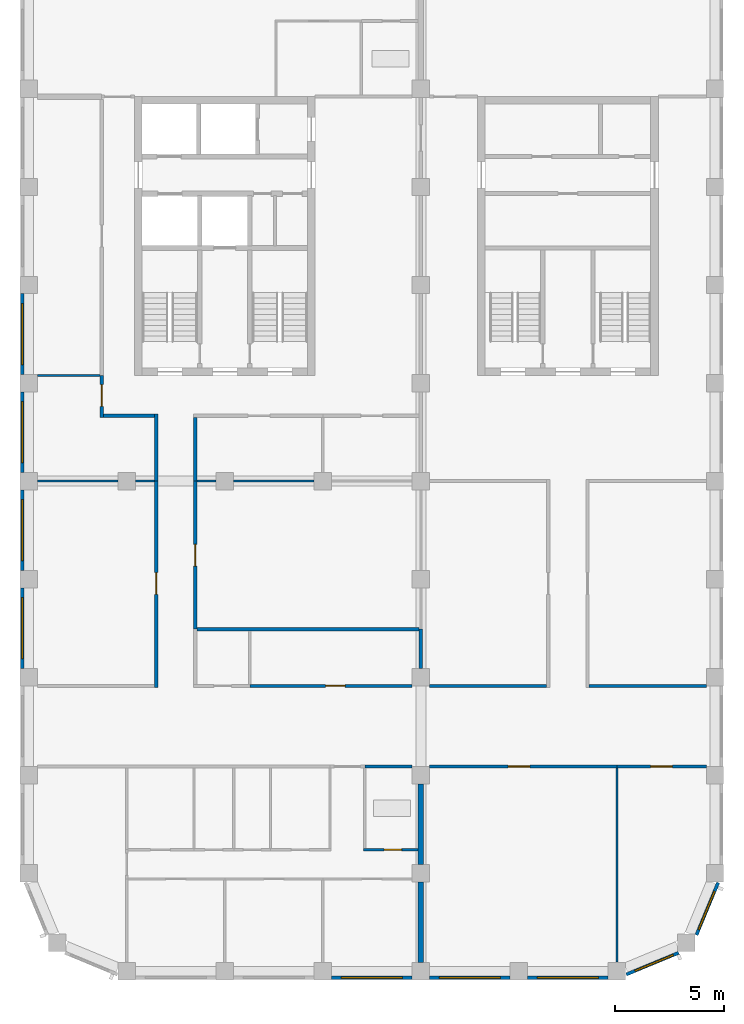
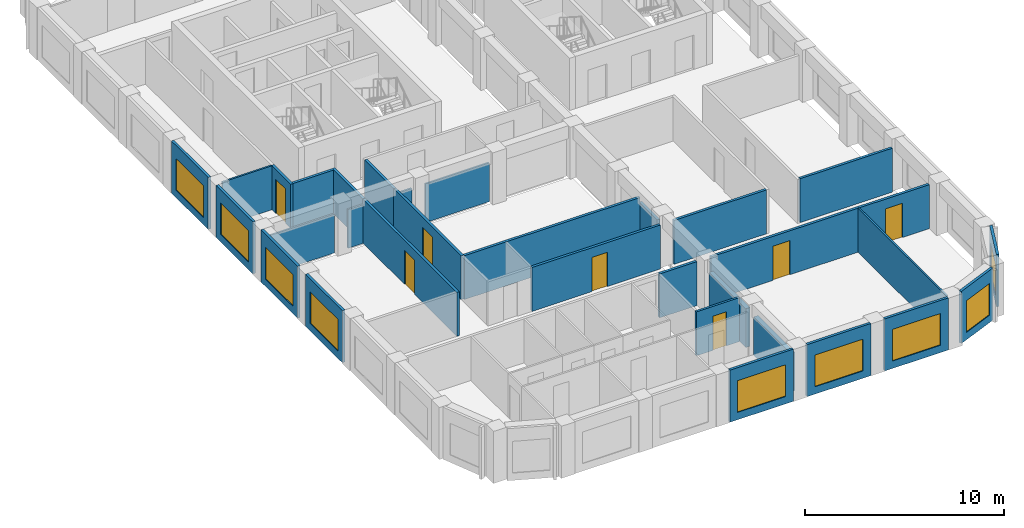
# One storey, part 3 of 9: 32 walls, 9 windows, 7 doors, 16 openings.
"""IFC4 building model written with IfcOpenShell, lengths in metres."""

from ifc_helpers import new_model, si_unit, direction, frame, frame_2d, origin, place, context, subcontext, project, spatial, rectangle, extrude, material, layer, layer_set, type_object, element, fill, save


model = new_model("IFC4")

# Units and contexts
model_context = context("Model", 3, precision=1e-05, world=origin(), true_north=direction((0.0, 1.0)))
body_context = subcontext(model_context, "Body", "Model", "MODEL_VIEW")
ifc_project = project(units=[si_unit("LENGTHUNIT", "METRE"), si_unit("AREAUNIT", "SQUARE_METRE"), si_unit("VOLUMEUNIT", "CUBIC_METRE"), si_unit("PLANEANGLEUNIT", "RADIAN"), si_unit("MASSUNIT", "GRAM", prefix="KILO")], contexts=[model_context])

# Site, building, storey
site_placement = place(None, origin())
site = spatial("IfcSite", under=ifc_project, at=site_placement, CompositionType="ELEMENT")
building_placement = place(site_placement, origin())
building = spatial("IfcBuilding", under=site, at=building_placement, Name="Girih Gate Residences", CompositionType="ELEMENT")
storey_placement = place(building_placement, frame((0.0, 0.0, 198.699951171875)))
storey = spatial("IfcBuildingStorey", under=building, at=storey_placement, Name="L55", CompositionType="ELEMENT", Elevation=198.699951171875)

# Walls
ifc_material_1 = material(Name="Gypsum board on steel studs", Category="steel")
ifc_layer_1 = layer(ifc_material_1, 0.25)
ifc_layer_set_1 = layer_set([ifc_layer_1], Name="Acoustic separating wall 250 mm")
wall_type_1 = type_object("IfcWallType", Name="Acoustic separating wall 250 mm", PredefinedType="PARTITIONING", material=ifc_layer_set_1)
for number, where, z_axis, x_axis, name in (
    (1, (18.0, 0.39990234375, 0.0), (0.0, 0.0, 1.0), (0.0, 1.0, 0.0), "L55 partition"),
    (2, (18.0, 4.89990234375, 0.0), (0.0, 0.0, 1.0), (0.0, 1.0, 0.0), "L55 partition"),
):
    element("IfcWall", number, at=place(storey_placement, frame(where, z_axis=z_axis, x_axis=x_axis)), inside=storey, type_object=wall_type_1, Name=name, PredefinedType="PARTITIONING", context=body_context, shape_type="SweptSolid", body=[
        extrude(rectangle(XDim=3.7001953125, YDim=0.25, at=frame_2d((1.85009765625, 0.0))), origin(), (0.0, 0.0, 1.0), 2.380126953125),
    ])
ifc_layer_2 = layer(ifc_material_1, 0.14990234375)
ifc_layer_set_2 = layer_set([ifc_layer_2], Name="Compartment wall 150 mm")
wall_type_2 = type_object("IfcWallType", Name="Compartment wall 150 mm", PredefinedType="PARTITIONING", material=ifc_layer_set_2)
wall_1_placement = place(storey_placement, frame((15.425048828125, 9.39990234375, 0.0), z_axis=(0.0, 0.0, 1.0), x_axis=(1.0, 0.0, 0.0)))
element("IfcWall", 3, at=wall_1_placement, inside=storey, type_object=wall_type_2, Name="L55 partition", PredefinedType="PARTITIONING", context=body_context, shape_type="SweptSolid", body=[
    extrude(rectangle(XDim=2.175048828125, YDim=0.14990234375, at=frame_2d((1.08740234375, 0.0))), origin(), (0.0, 0.0, 1.0), 2.699951171875),
])

# Wall, opening, door
wall_2_placement = place(storey_placement, frame((7.64990234375, 22.5, 0.0), z_axis=(0.0, 0.0, 1.0), x_axis=(0.0, -1.0, 0.0)))
wall_2 = element("IfcWall", 4, at=wall_2_placement, inside=storey, type_object=wall_type_2, Name="L55 partition", PredefinedType="PARTITIONING", context=body_context, shape_type="SweptSolid", body=[
    extrude(rectangle(XDim=6.800048828125, YDim=0.14990234375, at=frame_2d((3.39990234375, 0.0))), origin(), (0.0, 0.0, 1.0), 2.699951171875),
])
opening_1_placement = place(wall_2_placement, frame((2.89990234375, 0.0, 0.0)))
opening_1 = element("IfcOpeningElement", 5, at=opening_1_placement, cuts=wall_2, Name="Opening A55-017", PredefinedType="OPENING", context=body_context, shape_type="SweptSolid", body=[
    extrude(rectangle(XDim=1.0, YDim=2.10009765625, at=frame_2d((0.5, 1.050048828125))), frame((0.0, 0.0849609375, 0.0), z_axis=(0.0, -1.0, 0.0), x_axis=(1.0, 0.0, 0.0)), (0.0, 0.0, 1.0), 0.169921875),
])
ifc_material_2 = material(Name="Timber, fire-rated core", Category="wood")
door_type_1 = type_object("IfcDoorType", Name="Amenity room door 1000x2100 FD30S", OperationType="NOTDEFINED", PredefinedType="DOOR", material=ifc_material_2)
door_1_placement = place(opening_1_placement, origin())
door_1 = element("IfcDoor", 6, at=door_1_placement, inside=storey, type_object=door_type_1, Name="Door A55-017", OperationType="SINGLE_SWING_LEFT", OverallHeight=2.10009765625, OverallWidth=1.0, PredefinedType="DOOR", context=body_context, shape_type="SweptSolid", body=[
    extrude(rectangle(XDim=1.0, YDim=2.10009765625, at=frame_2d((0.5, 1.050048828125))), frame((0.0, 0.02490234375, 0.0), z_axis=(0.0, -1.0, 0.0), x_axis=(1.0, 0.0, 0.0)), (0.0, 0.0, 1.0), 0.050048828125),
])
fill(opening_1, door_1)

# Wall
wall_3_placement = place(storey_placement, frame((7.72509765625, 15.699951171875, 0.0), z_axis=(0.0, 0.0, 1.0), x_axis=(1.0, 0.0, 0.0)))
element("IfcWall", 7, at=wall_3_placement, inside=storey, type_object=wall_type_2, Name="L55 partition", PredefinedType="PARTITIONING", context=body_context, shape_type="SweptSolid", body=[
    extrude(rectangle(XDim=10.199951171875, YDim=0.14990234375, at=frame_2d((5.10009765625, 0.0))), origin(), (0.0, 0.0, 1.0), 2.699951171875),
])

# Wall, opening, door
wall_4_placement = place(storey_placement, frame((27.0, 9.39990234375, 0.0), z_axis=(0.0, 0.0, 1.0), x_axis=(-1.0, 0.0, 0.0)))
wall_4 = element("IfcWall", 8, at=wall_4_placement, inside=storey, type_object=wall_type_2, Name="L55 partition", PredefinedType="PARTITIONING", context=body_context, shape_type="SweptSolid", body=[
    extrude(rectangle(XDim=8.60009765625, YDim=0.14990234375, at=frame_2d((4.300048828125, 0.0))), origin(), (0.0, 0.0, 1.0), 2.699951171875),
])
opening_2_placement = place(wall_4_placement, frame((4.0, 0.0, 0.0)))
opening_2 = element("IfcOpeningElement", 9, at=opening_2_placement, cuts=wall_4, Name="Opening A55-020", PredefinedType="OPENING", context=body_context, shape_type="SweptSolid", body=[
    extrude(rectangle(XDim=1.0, YDim=2.10009765625, at=frame_2d((0.5, 1.050048828125))), frame((0.0, 0.0849609375, 0.0), z_axis=(0.0, -1.0, 0.0), x_axis=(1.0, 0.0, 0.0)), (0.0, 0.0, 1.0), 0.169921875),
])
door_2_placement = place(opening_2_placement, origin())
door_2 = element("IfcDoor", 10, at=door_2_placement, inside=storey, type_object=door_type_1, Name="Door A55-020", OperationType="SINGLE_SWING_RIGHT", OverallHeight=2.10009765625, OverallWidth=1.0, PredefinedType="DOOR", context=body_context, shape_type="SweptSolid", body=[
    extrude(rectangle(XDim=1.0, YDim=2.10009765625, at=frame_2d((0.5, 1.050048828125))), frame((0.0, 0.02490234375, 0.0), z_axis=(0.0, -1.0, 0.0), x_axis=(1.0, 0.0, 0.0)), (0.0, 0.0, 1.0), 0.050048828125),
])
fill(opening_2, door_2)

wall_5_placement = place(storey_placement, frame((31.10009765625, 9.39990234375, 0.0), z_axis=(0.0, 0.0, 1.0), x_axis=(-1.0, 0.0, 0.0)))
wall_5 = element("IfcWall", 11, at=wall_5_placement, inside=storey, type_object=wall_type_2, Name="L55 partition", PredefinedType="PARTITIONING", context=body_context, shape_type="SweptSolid", body=[
    extrude(rectangle(XDim=4.10009765625, YDim=0.14990234375, at=frame_2d((2.050048828125, 0.0))), origin(), (0.0, 0.0, 1.0), 2.699951171875),
])
opening_3_placement = place(wall_5_placement, frame((1.550048828125, 0.0, 0.0)))
opening_3 = element("IfcOpeningElement", 12, at=opening_3_placement, cuts=wall_5, Name="Opening A55-021", PredefinedType="OPENING", context=body_context, shape_type="SweptSolid", body=[
    extrude(rectangle(XDim=1.0, YDim=2.10009765625, at=frame_2d((0.5, 1.050048828125))), frame((0.0, 0.0849609375, 0.0), z_axis=(0.0, -1.0, 0.0), x_axis=(1.0, 0.0, 0.0)), (0.0, 0.0, 1.0), 0.169921875),
])
door_3_placement = place(opening_3_placement, origin())
door_3 = element("IfcDoor", 13, at=door_3_placement, inside=storey, type_object=door_type_1, Name="Door A55-021", OperationType="SINGLE_SWING_RIGHT", OverallHeight=2.10009765625, OverallWidth=1.0, PredefinedType="DOOR", context=body_context, shape_type="SweptSolid", body=[
    extrude(rectangle(XDim=1.0, YDim=2.10009765625, at=frame_2d((0.5, 1.050048828125))), frame((0.0, 0.02490234375, 0.0), z_axis=(0.0, -1.0, 0.0), x_axis=(1.0, 0.0, 0.0)), (0.0, 0.0, 1.0), 0.050048828125),
])
fill(opening_3, door_3)

# Walls
for number, where, z_axis, x_axis, name in (
    (14, (18.39990234375, 13.10009765625, 0.0), (0.0, 0.0, 1.0), (1.0, 0.0, 0.0), "L55 partition"),
    (15, (25.72509765625, 13.10009765625, 0.0), (0.0, 0.0, 1.0), (1.0, 0.0, 0.0), "L55 partition"),
):
    element("IfcWall", number, at=place(storey_placement, frame(where, z_axis=z_axis, x_axis=x_axis)), inside=storey, type_object=wall_type_2, Name=name, PredefinedType="PARTITIONING", context=body_context, shape_type="SweptSolid", body=[
        extrude(rectangle(XDim=5.375, YDim=0.14990234375, at=frame_2d((2.6875, 0.0))), origin(), (0.0, 0.0, 1.0), 2.699951171875),
    ])

# Wall, opening, door
wall_6_placement = place(storey_placement, frame((10.14990234375, 13.10009765625, 0.0), z_axis=(0.0, 0.0, 1.0), x_axis=(1.0, 0.0, 0.0)))
wall_6 = element("IfcWall", 16, at=wall_6_placement, inside=storey, type_object=wall_type_2, Name="L55 partition", PredefinedType="PARTITIONING", context=body_context, shape_type="SweptSolid", body=[
    extrude(rectangle(XDim=7.4501953125, YDim=0.14990234375, at=frame_2d((3.72509765625, 0.0))), origin(), (0.0, 0.0, 1.0), 2.699951171875),
])
opening_4_placement = place(wall_6_placement, frame((3.47509765625, 0.0, 0.0)))
opening_4 = element("IfcOpeningElement", 17, at=opening_4_placement, cuts=wall_6, Name="Opening A55-024", PredefinedType="OPENING", context=body_context, shape_type="SweptSolid", body=[
    extrude(rectangle(XDim=0.89990234375, YDim=2.10009765625, at=frame_2d((0.449951171875, 1.050048828125))), frame((0.0, 0.0849609375, 0.0), z_axis=(0.0, -1.0, 0.0), x_axis=(1.0, 0.0, 0.0)), (0.0, 0.0, 1.0), 0.169921875),
])
ifc_material_3 = material(Name="Timber", Category="wood")
door_type_2 = type_object("IfcDoorType", Name="Service room door 900x2100", OperationType="NOTDEFINED", PredefinedType="DOOR", material=ifc_material_3)
door_4_placement = place(opening_4_placement, origin())
door_4 = element("IfcDoor", 18, at=door_4_placement, inside=storey, type_object=door_type_2, Name="Door A55-024", OperationType="SINGLE_SWING_RIGHT", OverallHeight=2.10009765625, OverallWidth=0.89990234375, PredefinedType="DOOR", context=body_context, shape_type="SweptSolid", body=[
    extrude(rectangle(XDim=0.89990234375, YDim=2.10009765625, at=frame_2d((0.449951171875, 1.050048828125))), frame((0.0, 0.02490234375, 0.0), z_axis=(0.0, -1.0, 0.0), x_axis=(1.0, 0.0, 0.0)), (0.0, 0.0, 1.0), 0.050048828125),
])
fill(opening_4, door_4)

# Walls
wall_7_placement = place(storey_placement, frame((18.0, 13.89990234375, 0.0), z_axis=(0.0, 0.0, 1.0), x_axis=(0.0, 1.0, 0.0)))
element("IfcWall", 19, at=wall_7_placement, inside=storey, type_object=wall_type_2, Name="L55 partition", PredefinedType="PARTITIONING", context=body_context, shape_type="SweptSolid", body=[
    extrude(rectangle(XDim=1.800048828125, YDim=0.14990234375, at=frame_2d((0.89990234375, 0.0))), origin(), (0.0, 0.0, 1.0), 2.380126953125),
])
wall_8_placement = place(storey_placement, frame((5.85009765625, 22.5, 0.0), z_axis=(0.0, 0.0, 1.0), x_axis=(0.0, 1.0, 0.0)))
element("IfcWall", 20, at=wall_8_placement, inside=storey, type_object=wall_type_2, Name="L55 partition", PredefinedType="PARTITIONING", context=body_context, shape_type="SweptSolid", body=[
    extrude(rectangle(XDim=3.074951171875, YDim=0.14990234375, at=frame_2d((1.53759765625, 0.0))), origin(), (0.0, 0.0, 1.0), 2.699951171875),
])
wall_9_placement = place(storey_placement, frame((3.425048828125, 25.5, 0.0), z_axis=(0.0, 0.0, 1.0), x_axis=(1.0, 0.0, 0.0)))
element("IfcWall", 21, at=wall_9_placement, inside=storey, type_object=wall_type_2, Name="L55 partition", PredefinedType="PARTITIONING", context=body_context, shape_type="SweptSolid", body=[
    extrude(rectangle(XDim=2.349853515625, YDim=0.14990234375, at=frame_2d((1.1748046875, 0.0))), origin(), (0.0, 0.0, 1.0), 2.699951171875),
])

# Wall, opening, door
wall_10_placement = place(storey_placement, frame((3.35009765625, 25.425048828125, 0.0), z_axis=(0.0, 0.0, 1.0), x_axis=(0.0, 1.0, 0.0)))
wall_10 = element("IfcWall", 22, at=wall_10_placement, inside=storey, type_object=wall_type_2, Name="L55 partition", PredefinedType="PARTITIONING", context=body_context, shape_type="SweptSolid", body=[
    extrude(rectangle(XDim=1.925048828125, YDim=0.14990234375, at=frame_2d((0.96240234375, 0.0))), origin(), (0.0, 0.0, 1.0), 2.699951171875),
])
opening_5_placement = place(wall_10_placement, frame((0.5, 0.0, 0.0)))
opening_5 = element("IfcOpeningElement", 23, at=opening_5_placement, cuts=wall_10, Name="Opening A55-026", PredefinedType="OPENING", context=body_context, shape_type="SweptSolid", body=[
    extrude(rectangle(XDim=1.0, YDim=2.10009765625, at=frame_2d((0.5, 1.050048828125))), frame((0.0, 0.0849609375, 0.0), z_axis=(0.0, -1.0, 0.0), x_axis=(1.0, 0.0, 0.0)), (0.0, 0.0, 1.0), 0.169921875),
])
door_5_placement = place(opening_5_placement, origin())
door_5 = element("IfcDoor", 24, at=door_5_placement, inside=storey, type_object=door_type_1, Name="Door A55-026", OperationType="SINGLE_SWING_RIGHT", OverallHeight=2.10009765625, OverallWidth=1.0, PredefinedType="DOOR", context=body_context, shape_type="SweptSolid", body=[
    extrude(rectangle(XDim=1.0, YDim=2.10009765625, at=frame_2d((0.5, 1.050048828125))), frame((0.0, 0.02490234375, 0.0), z_axis=(0.0, -1.0, 0.0), x_axis=(1.0, 0.0, 0.0)), (0.0, 0.0, 1.0), 0.050048828125),
])
fill(opening_5, door_5)

# Wall
wall_11_placement = place(storey_placement, frame((7.64990234375, 22.5, 0.0), z_axis=(0.0, 0.0, 1.0), x_axis=(0.0, 1.0, 0.0)))
element("IfcWall", 25, at=wall_11_placement, inside=storey, type_object=wall_type_2, Name="L55 partition", PredefinedType="PARTITIONING", context=body_context, shape_type="SweptSolid", body=[
    extrude(rectangle(XDim=2.925048828125, YDim=0.14990234375, at=frame_2d((1.46240234375, 0.0))), origin(), (0.0, 0.0, 1.0), 2.699951171875),
])

# Wall, opening, door
wall_12_placement = place(storey_placement, frame((5.85009765625, 13.02490234375, 0.0), z_axis=(0.0, 0.0, 1.0), x_axis=(0.0, 1.0, 0.0)))
wall_12 = element("IfcWall", 26, at=wall_12_placement, inside=storey, type_object=wall_type_2, Name="L55 partition", PredefinedType="PARTITIONING", context=body_context, shape_type="SweptSolid", body=[
    extrude(rectangle(XDim=9.47509765625, YDim=0.14990234375, at=frame_2d((4.737548828125, 0.0))), origin(), (0.0, 0.0, 1.0), 2.699951171875),
])
opening_6_placement = place(wall_12_placement, frame((4.27490234375, 0.0, 0.0)))
opening_6 = element("IfcOpeningElement", 27, at=opening_6_placement, cuts=wall_12, Name="Opening A55-030", PredefinedType="OPENING", context=body_context, shape_type="SweptSolid", body=[
    extrude(rectangle(XDim=1.0, YDim=2.10009765625, at=frame_2d((0.5, 1.050048828125))), frame((0.0, 0.0849609375, 0.0), z_axis=(0.0, -1.0, 0.0), x_axis=(1.0, 0.0, 0.0)), (0.0, 0.0, 1.0), 0.169921875),
])
door_6_placement = place(opening_6_placement, origin())
door_6 = element("IfcDoor", 28, at=door_6_placement, inside=storey, type_object=door_type_1, Name="Door A55-030", OperationType="SINGLE_SWING_RIGHT", OverallHeight=2.10009765625, OverallWidth=1.0, PredefinedType="DOOR", context=body_context, shape_type="SweptSolid", body=[
    extrude(rectangle(XDim=1.0, YDim=2.10009765625, at=frame_2d((0.5, 1.050048828125))), frame((0.0, 0.02490234375, 0.0), z_axis=(0.0, -1.0, 0.0), x_axis=(1.0, 0.0, 0.0)), (0.0, 0.0, 1.0), 0.050048828125),
])
fill(opening_6, door_6)

# Walls
ifc_layer_3 = layer(ifc_material_1, 0.10009765625)
ifc_layer_set_3 = layer_set([ifc_layer_3], Name="Partition 100 mm")
wall_type_3 = type_object("IfcWallType", Name="Partition 100 mm", PredefinedType="PARTITIONING", material=ifc_layer_set_3)
wall_13_placement = place(storey_placement, frame((7.72509765625, 22.5, 0.0), z_axis=(0.0, 0.0, 1.0), x_axis=(1.0, 0.0, 0.0)))
element("IfcWall", 29, at=wall_13_placement, inside=storey, type_object=wall_type_3, Name="L55 partition", PredefinedType="PARTITIONING", context=body_context, shape_type="SweptSolid", body=[
    extrude(rectangle(XDim=0.875, YDim=0.10009765625, at=frame_2d((0.4375, 0.0))), origin(), (0.0, 0.0, 1.0), 2.380126953125),
])
wall_14_placement = place(storey_placement, frame((9.39990234375, 22.5, 0.0), z_axis=(0.0, 0.0, 1.0), x_axis=(1.0, 0.0, 0.0)))
element("IfcWall", 30, at=wall_14_placement, inside=storey, type_object=wall_type_3, Name="L55 partition", PredefinedType="PARTITIONING", context=body_context, shape_type="SweptSolid", body=[
    extrude(rectangle(XDim=3.7001953125, YDim=0.10009765625, at=frame_2d((1.85009765625, 0.0))), origin(), (0.0, 0.0, 1.0), 2.380126953125),
])
wall_15_placement = place(storey_placement, frame((27.0, 0.432861328125, 0.0), z_axis=(0.0, 0.0, 1.0), x_axis=(0.0, 1.0, 0.0)))
element("IfcWall", 31, at=wall_15_placement, inside=storey, type_object=wall_type_3, Name="L55 partition", PredefinedType="PARTITIONING", context=body_context, shape_type="SweptSolid", body=[
    extrude(rectangle(XDim=8.89208984375, YDim=0.10009765625, at=frame_2d((4.446044921875, 0.0))), origin(), (0.0, 0.0, 1.0), 2.699951171875),
])
wall_16_placement = place(storey_placement, frame((0.39990234375, 27.35009765625, 0.0), z_axis=(0.0, 0.0, 1.0), x_axis=(1.0, 0.0, 0.0)))
element("IfcWall", 32, at=wall_16_placement, inside=storey, type_object=wall_type_3, Name="L55 partition", PredefinedType="PARTITIONING", context=body_context, shape_type="SweptSolid", body=[
    extrude(rectangle(XDim=2.875, YDim=0.10009765625, at=frame_2d((1.4375, 0.0))), origin(), (0.0, 0.0, 1.0), 2.699951171875),
])
wall_17_placement = place(storey_placement, frame((4.89990234375, 22.5, 0.0), z_axis=(0.0, 0.0, 1.0), x_axis=(1.0, 0.0, 0.0)))
element("IfcWall", 33, at=wall_17_placement, inside=storey, type_object=wall_type_3, Name="L55 partition", PredefinedType="PARTITIONING", context=body_context, shape_type="SweptSolid", body=[
    extrude(rectangle(XDim=0.875, YDim=0.10009765625, at=frame_2d((0.4375, 0.0))), origin(), (0.0, 0.0, 1.0), 2.380126953125),
])
wall_18_placement = place(storey_placement, frame((0.39990234375, 22.5, 0.0), z_axis=(0.0, 0.0, 1.0), x_axis=(1.0, 0.0, 0.0)))
element("IfcWall", 34, at=wall_18_placement, inside=storey, type_object=wall_type_3, Name="L55 partition", PredefinedType="PARTITIONING", context=body_context, shape_type="SweptSolid", body=[
    extrude(rectangle(XDim=3.7001953125, YDim=0.10009765625, at=frame_2d((1.85009765625, 0.0))), origin(), (0.0, 0.0, 1.0), 2.380126953125),
])

# Wall, opening, window
ifc_material_4 = material(Name="Precast concrete C50/60", Category="concrete")
ifc_layer_4 = layer(ifc_material_4, 0.050048828125, Name="Outer leaf")
ifc_material_5 = material(Name="Rigid PIR insulation")
ifc_layer_5 = layer(ifc_material_5, 0.06005859375, Name="Insulation")
ifc_material_6 = material(Name="Precast concrete C40/50", Category="concrete")
ifc_layer_6 = layer(ifc_material_6, 0.0400390625, Name="Inner leaf")
ifc_layer_set_4 = layer_set([ifc_layer_4, ifc_layer_5, ifc_layer_6], Name="Precast concrete C50/60 external wall 150")
wall_type_4 = type_object("IfcWallType", Name="Precast concrete C50/60 external wall 150", PredefinedType="SOLIDWALL", material=ifc_layer_set_4)
wall_19_placement = place(storey_placement, frame((29.8330078125, 0.8486328125, 0.0), z_axis=(0.0, 0.0, 1.0), x_axis=(-0.923885342263, -0.382669406082, 0.0)))
wall_19 = element("IfcWall", 35, at=wall_19_placement, inside=storey, type_object=wall_type_4, Name="External wall SE0270_0000.0", PredefinedType="SOLIDWALL", context=body_context, shape_type="SweptSolid", body=[
    extrude(rectangle(XDim=2.602294921875, YDim=0.14990234375, at=frame_2d((1.30126953125, 0.0))), origin(), (0.0, 0.0, 1.0), 3.199951171875),
])
opening_7_placement = place(wall_19_placement, frame((0.27001953125, 0.0, 0.449951171875)))
opening_7 = element("IfcOpeningElement", 36, at=opening_7_placement, cuts=wall_19, Name="Opening W-2G", PredefinedType="OPENING", context=body_context, shape_type="SweptSolid", body=[
    extrude(rectangle(XDim=1.89990234375, YDim=1.949951171875, at=frame_2d((0.949951171875, 0.97509765625))), frame((0.0, 0.0849609375, 0.0), z_axis=(0.0, -1.0, 0.0), x_axis=(1.0, 0.0, 0.0)), (0.0, 0.0, 1.0), 0.169921875),
])
ifc_material_7 = material(Name="Double glazing in aluminium frame", Category="aluminium")
window_type_1 = type_object("IfcWindowType", Name="Window W-2G 1900x1950", PartitioningType="SINGLE_PANEL", PredefinedType="WINDOW", material=ifc_material_7)
window_1_placement = place(opening_7_placement, origin())
window_1 = element("IfcWindow", 37, at=window_1_placement, inside=storey, type_object=window_type_1, Name="Window W-2G SE0270_0000.0", OverallHeight=1.949951171875, OverallWidth=1.89990234375, PartitioningType="SINGLE_PANEL", PredefinedType="WINDOW", context=body_context, shape_type="SweptSolid", body=[
    extrude(rectangle(XDim=1.89990234375, YDim=1.949951171875, at=frame_2d((0.949951171875, 0.97509765625))), frame((0.0, 0.030029296875, 0.0), z_axis=(0.0, -1.0, 0.0), x_axis=(1.0, 0.0, 0.0)), (0.0, 0.0, 1.0), 0.06005859375),
])
fill(opening_7, window_1)

wall_20_placement = place(storey_placement, frame((31.647216796875, 4.0712890625, 0.0), z_axis=(0.0, 0.0, 1.0), x_axis=(-0.382669406082, -0.923885342263, 0.0)))
wall_20 = element("IfcWall", 38, at=wall_20_placement, inside=storey, type_object=wall_type_4, Name="External wall SE0302_0013.0", PredefinedType="SOLIDWALL", context=body_context, shape_type="SweptSolid", body=[
    extrude(rectangle(XDim=2.602294921875, YDim=0.14990234375, at=frame_2d((1.30126953125, 0.0))), origin(), (0.0, 0.0, 1.0), 3.199951171875),
])
opening_8_placement = place(wall_20_placement, frame((0.432373046875, 0.0, 0.449951171875)))
opening_8 = element("IfcOpeningElement", 39, at=opening_8_placement, cuts=wall_20, Name="Opening W-2G", PredefinedType="OPENING", context=body_context, shape_type="SweptSolid", body=[
    extrude(rectangle(XDim=1.89990234375, YDim=1.949951171875, at=frame_2d((0.949951171875, 0.97509765625))), frame((0.0, 0.0849609375, 0.0), z_axis=(0.0, -1.0, 0.0), x_axis=(1.0, 0.0, 0.0)), (0.0, 0.0, 1.0), 0.169921875),
])
window_2_placement = place(opening_8_placement, origin())
window_2 = element("IfcWindow", 40, at=window_2_placement, inside=storey, type_object=window_type_1, Name="Window W-2G SE0302_0013.0", OverallHeight=1.949951171875, OverallWidth=1.89990234375, PartitioningType="SINGLE_PANEL", PredefinedType="WINDOW", context=body_context, shape_type="SweptSolid", body=[
    extrude(rectangle(XDim=1.89990234375, YDim=1.949951171875, at=frame_2d((0.949951171875, 0.97509765625))), frame((0.0, 0.030029296875, 0.0), z_axis=(0.0, -1.0, 0.0), x_axis=(1.0, 0.0, 0.0)), (0.0, 0.0, 1.0), 0.06005859375),
])
fill(opening_8, window_2)

wall_21_placement = place(storey_placement, frame((-0.300048828125, 27.39990234375, 0.0), z_axis=(0.0, 0.0, 1.0), x_axis=(0.0, 1.0, 0.0)))
wall_21 = element("IfcWall", 41, at=wall_21_placement, inside=storey, type_object=wall_type_4, Name="External wall W0000_0450.3", PredefinedType="SOLIDWALL", context=body_context, shape_type="SweptSolid", body=[
    extrude(rectangle(XDim=3.7001953125, YDim=0.14990234375, at=frame_2d((1.85009765625, 0.0))), origin(), (0.0, 0.0, 1.0), 3.199951171875),
])
opening_9_placement = place(wall_21_placement, frame((0.449951171875, 0.0, 0.449951171875)))
opening_9 = element("IfcOpeningElement", 42, at=opening_9_placement, cuts=wall_21, Name="Opening W-1B", PredefinedType="OPENING", context=body_context, shape_type="SweptSolid", body=[
    extrude(rectangle(XDim=2.800048828125, YDim=1.949951171875, at=frame_2d((1.39990234375, 0.97509765625))), frame((0.0, 0.0849609375, 0.0), z_axis=(0.0, -1.0, 0.0), x_axis=(1.0, 0.0, 0.0)), (0.0, 0.0, 1.0), 0.169921875),
])
window_type_2 = type_object("IfcWindowType", Name="Window W-1B 2800x1950", PartitioningType="SINGLE_PANEL", PredefinedType="WINDOW", material=ifc_material_7)
window_3_placement = place(opening_9_placement, origin())
window_3 = element("IfcWindow", 43, at=window_3_placement, inside=storey, type_object=window_type_2, Name="Window W-1B W0000_0450.3", OverallHeight=1.949951171875, OverallWidth=2.800048828125, PartitioningType="SINGLE_PANEL", PredefinedType="WINDOW", context=body_context, shape_type="SweptSolid", body=[
    extrude(rectangle(XDim=2.800048828125, YDim=1.949951171875, at=frame_2d((1.39990234375, 0.97509765625))), frame((0.0, 0.030029296875, 0.0), z_axis=(0.0, -1.0, 0.0), x_axis=(1.0, 0.0, 0.0)), (0.0, 0.0, 1.0), 0.06005859375),
])
fill(opening_9, window_3)

wall_22_placement = place(storey_placement, frame((-0.300048828125, 22.89990234375, 0.0), z_axis=(0.0, 0.0, 1.0), x_axis=(0.0, 1.0, 0.0)))
wall_22 = element("IfcWall", 44, at=wall_22_placement, inside=storey, type_object=wall_type_4, Name="External wall W0000_0450.4", PredefinedType="SOLIDWALL", context=body_context, shape_type="SweptSolid", body=[
    extrude(rectangle(XDim=3.7001953125, YDim=0.14990234375, at=frame_2d((1.85009765625, 0.0))), origin(), (0.0, 0.0, 1.0), 3.199951171875),
])
opening_10_placement = place(wall_22_placement, frame((0.449951171875, 0.0, 0.449951171875)))
opening_10 = element("IfcOpeningElement", 45, at=opening_10_placement, cuts=wall_22, Name="Opening W-1B", PredefinedType="OPENING", context=body_context, shape_type="SweptSolid", body=[
    extrude(rectangle(XDim=2.800048828125, YDim=1.949951171875, at=frame_2d((1.39990234375, 0.97509765625))), frame((0.0, 0.0849609375, 0.0), z_axis=(0.0, -1.0, 0.0), x_axis=(1.0, 0.0, 0.0)), (0.0, 0.0, 1.0), 0.169921875),
])
window_4_placement = place(opening_10_placement, origin())
window_4 = element("IfcWindow", 46, at=window_4_placement, inside=storey, type_object=window_type_2, Name="Window W-1B W0000_0450.4", OverallHeight=1.949951171875, OverallWidth=2.800048828125, PartitioningType="SINGLE_PANEL", PredefinedType="WINDOW", context=body_context, shape_type="SweptSolid", body=[
    extrude(rectangle(XDim=2.800048828125, YDim=1.949951171875, at=frame_2d((1.39990234375, 0.97509765625))), frame((0.0, 0.030029296875, 0.0), z_axis=(0.0, -1.0, 0.0), x_axis=(1.0, 0.0, 0.0)), (0.0, 0.0, 1.0), 0.06005859375),
])
fill(opening_10, window_4)

wall_23_placement = place(storey_placement, frame((-0.300048828125, 18.39990234375, 0.0), z_axis=(0.0, 0.0, 1.0), x_axis=(0.0, 1.0, 0.0)))
wall_23 = element("IfcWall", 47, at=wall_23_placement, inside=storey, type_object=wall_type_4, Name="External wall W0000_0450.5", PredefinedType="SOLIDWALL", context=body_context, shape_type="SweptSolid", body=[
    extrude(rectangle(XDim=3.7001953125, YDim=0.14990234375, at=frame_2d((1.85009765625, 0.0))), origin(), (0.0, 0.0, 1.0), 3.199951171875),
])
opening_11_placement = place(wall_23_placement, frame((0.449951171875, 0.0, 0.449951171875)))
opening_11 = element("IfcOpeningElement", 48, at=opening_11_placement, cuts=wall_23, Name="Opening W-1B", PredefinedType="OPENING", context=body_context, shape_type="SweptSolid", body=[
    extrude(rectangle(XDim=2.800048828125, YDim=1.949951171875, at=frame_2d((1.39990234375, 0.97509765625))), frame((0.0, 0.0849609375, 0.0), z_axis=(0.0, -1.0, 0.0), x_axis=(1.0, 0.0, 0.0)), (0.0, 0.0, 1.0), 0.169921875),
])
window_5_placement = place(opening_11_placement, origin())
window_5 = element("IfcWindow", 49, at=window_5_placement, inside=storey, type_object=window_type_2, Name="Window W-1B W0000_0450.5", OverallHeight=1.949951171875, OverallWidth=2.800048828125, PartitioningType="SINGLE_PANEL", PredefinedType="WINDOW", context=body_context, shape_type="SweptSolid", body=[
    extrude(rectangle(XDim=2.800048828125, YDim=1.949951171875, at=frame_2d((1.39990234375, 0.97509765625))), frame((0.0, 0.030029296875, 0.0), z_axis=(0.0, -1.0, 0.0), x_axis=(1.0, 0.0, 0.0)), (0.0, 0.0, 1.0), 0.06005859375),
])
fill(opening_11, window_5)

wall_24_placement = place(storey_placement, frame((-0.300048828125, 13.89990234375, 0.0), z_axis=(0.0, 0.0, 1.0), x_axis=(0.0, 1.0, 0.0)))
wall_24 = element("IfcWall", 50, at=wall_24_placement, inside=storey, type_object=wall_type_4, Name="External wall W0000_0450.6", PredefinedType="SOLIDWALL", context=body_context, shape_type="SweptSolid", body=[
    extrude(rectangle(XDim=3.7001953125, YDim=0.14990234375, at=frame_2d((1.85009765625, 0.0))), origin(), (0.0, 0.0, 1.0), 3.199951171875),
])
opening_12_placement = place(wall_24_placement, frame((0.449951171875, 0.0, 0.449951171875)))
opening_12 = element("IfcOpeningElement", 51, at=opening_12_placement, cuts=wall_24, Name="Opening W-1B", PredefinedType="OPENING", context=body_context, shape_type="SweptSolid", body=[
    extrude(rectangle(XDim=2.800048828125, YDim=1.949951171875, at=frame_2d((1.39990234375, 0.97509765625))), frame((0.0, 0.0849609375, 0.0), z_axis=(0.0, -1.0, 0.0), x_axis=(1.0, 0.0, 0.0)), (0.0, 0.0, 1.0), 0.169921875),
])
window_6_placement = place(opening_12_placement, origin())
window_6 = element("IfcWindow", 52, at=window_6_placement, inside=storey, type_object=window_type_2, Name="Window W-1B W0000_0450.6", OverallHeight=1.949951171875, OverallWidth=2.800048828125, PartitioningType="SINGLE_PANEL", PredefinedType="WINDOW", context=body_context, shape_type="SweptSolid", body=[
    extrude(rectangle(XDim=2.800048828125, YDim=1.949951171875, at=frame_2d((1.39990234375, 0.97509765625))), frame((0.0, 0.030029296875, 0.0), z_axis=(0.0, -1.0, 0.0), x_axis=(1.0, 0.0, 0.0)), (0.0, 0.0, 1.0), 0.06005859375),
])
fill(opening_12, window_6)

wall_25_placement = place(storey_placement, frame((17.60009765625, -0.300048828125, 0.0), z_axis=(0.0, 0.0, 1.0), x_axis=(-1.0, 0.0, 0.0)))
wall_25 = element("IfcWall", 53, at=wall_25_placement, inside=storey, type_object=wall_type_4, Name="External wall S0045_0000.2", PredefinedType="SOLIDWALL", context=body_context, shape_type="SweptSolid", body=[
    extrude(rectangle(XDim=3.7001953125, YDim=0.14990234375, at=frame_2d((1.85009765625, 0.0))), origin(), (0.0, 0.0, 1.0), 3.199951171875),
])
opening_13_placement = place(wall_25_placement, frame((0.449951171875, 0.0, 0.449951171875)))
opening_13 = element("IfcOpeningElement", 54, at=opening_13_placement, cuts=wall_25, Name="Opening W-1B", PredefinedType="OPENING", context=body_context, shape_type="SweptSolid", body=[
    extrude(rectangle(XDim=2.800048828125, YDim=1.949951171875, at=frame_2d((1.39990234375, 0.97509765625))), frame((0.0, 0.0849609375, 0.0), z_axis=(0.0, -1.0, 0.0), x_axis=(1.0, 0.0, 0.0)), (0.0, 0.0, 1.0), 0.169921875),
])
window_7_placement = place(opening_13_placement, origin())
window_7 = element("IfcWindow", 55, at=window_7_placement, inside=storey, type_object=window_type_2, Name="Window W-1B S0045_0000.2", OverallHeight=1.949951171875, OverallWidth=2.800048828125, PartitioningType="SINGLE_PANEL", PredefinedType="WINDOW", context=body_context, shape_type="SweptSolid", body=[
    extrude(rectangle(XDim=2.800048828125, YDim=1.949951171875, at=frame_2d((1.39990234375, 0.97509765625))), frame((0.0, 0.030029296875, 0.0), z_axis=(0.0, -1.0, 0.0), x_axis=(1.0, 0.0, 0.0)), (0.0, 0.0, 1.0), 0.06005859375),
])
fill(opening_13, window_7)

wall_26_placement = place(storey_placement, frame((22.10009765625, -0.300048828125, 0.0), z_axis=(0.0, 0.0, 1.0), x_axis=(-1.0, 0.0, 0.0)))
wall_26 = element("IfcWall", 56, at=wall_26_placement, inside=storey, type_object=wall_type_4, Name="External wall S0045_0000.3", PredefinedType="SOLIDWALL", context=body_context, shape_type="SweptSolid", body=[
    extrude(rectangle(XDim=3.7001953125, YDim=0.14990234375, at=frame_2d((1.85009765625, 0.0))), origin(), (0.0, 0.0, 1.0), 3.199951171875),
])
opening_14_placement = place(wall_26_placement, frame((0.449951171875, 0.0, 0.449951171875)))
opening_14 = element("IfcOpeningElement", 57, at=opening_14_placement, cuts=wall_26, Name="Opening W-1B", PredefinedType="OPENING", context=body_context, shape_type="SweptSolid", body=[
    extrude(rectangle(XDim=2.800048828125, YDim=1.949951171875, at=frame_2d((1.39990234375, 0.97509765625))), frame((0.0, 0.0849609375, 0.0), z_axis=(0.0, -1.0, 0.0), x_axis=(1.0, 0.0, 0.0)), (0.0, 0.0, 1.0), 0.169921875),
])
window_8_placement = place(opening_14_placement, origin())
window_8 = element("IfcWindow", 58, at=window_8_placement, inside=storey, type_object=window_type_2, Name="Window W-1B S0045_0000.3", OverallHeight=1.949951171875, OverallWidth=2.800048828125, PartitioningType="SINGLE_PANEL", PredefinedType="WINDOW", context=body_context, shape_type="SweptSolid", body=[
    extrude(rectangle(XDim=2.800048828125, YDim=1.949951171875, at=frame_2d((1.39990234375, 0.97509765625))), frame((0.0, 0.030029296875, 0.0), z_axis=(0.0, -1.0, 0.0), x_axis=(1.0, 0.0, 0.0)), (0.0, 0.0, 1.0), 0.06005859375),
])
fill(opening_14, window_8)

wall_27_placement = place(storey_placement, frame((26.60009765625, -0.300048828125, 0.0), z_axis=(0.0, 0.0, 1.0), x_axis=(-1.0, 0.0, 0.0)))
wall_27 = element("IfcWall", 59, at=wall_27_placement, inside=storey, type_object=wall_type_4, Name="External wall S0045_0000.4", PredefinedType="SOLIDWALL", context=body_context, shape_type="SweptSolid", body=[
    extrude(rectangle(XDim=3.7001953125, YDim=0.14990234375, at=frame_2d((1.85009765625, 0.0))), origin(), (0.0, 0.0, 1.0), 3.199951171875),
])
opening_15_placement = place(wall_27_placement, frame((0.449951171875, 0.0, 0.449951171875)))
opening_15 = element("IfcOpeningElement", 60, at=opening_15_placement, cuts=wall_27, Name="Opening W-1B", PredefinedType="OPENING", context=body_context, shape_type="SweptSolid", body=[
    extrude(rectangle(XDim=2.800048828125, YDim=1.949951171875, at=frame_2d((1.39990234375, 0.97509765625))), frame((0.0, 0.0849609375, 0.0), z_axis=(0.0, -1.0, 0.0), x_axis=(1.0, 0.0, 0.0)), (0.0, 0.0, 1.0), 0.169921875),
])
window_9_placement = place(opening_15_placement, origin())
window_9 = element("IfcWindow", 61, at=window_9_placement, inside=storey, type_object=window_type_2, Name="Window W-1B S0045_0000.4", OverallHeight=1.949951171875, OverallWidth=2.800048828125, PartitioningType="SINGLE_PANEL", PredefinedType="WINDOW", context=body_context, shape_type="SweptSolid", body=[
    extrude(rectangle(XDim=2.800048828125, YDim=1.949951171875, at=frame_2d((1.39990234375, 0.97509765625))), frame((0.0, 0.030029296875, 0.0), z_axis=(0.0, -1.0, 0.0), x_axis=(1.0, 0.0, 0.0)), (0.0, 0.0, 1.0), 0.06005859375),
])
fill(opening_15, window_9)

# Wall, opening, door
ifc_layer_7 = layer(ifc_material_1, 0.125)
ifc_layer_set_5 = layer_set([ifc_layer_7], Name="Wet room wall 125 mm")
wall_type_5 = type_object("IfcWallType", Name="Wet room wall 125 mm", PredefinedType="PARTITIONING", material=ifc_layer_set_5)
wall_28_placement = place(storey_placement, frame((15.362548828125, 5.580078125, 0.0), z_axis=(0.0, 0.0, 1.0), x_axis=(1.0, 0.0, 0.0)))
wall_28 = element("IfcWall", 62, at=wall_28_placement, inside=storey, type_object=wall_type_5, Name="L55 partition", PredefinedType="PARTITIONING", context=body_context, shape_type="SweptSolid", body=[
    extrude(rectangle(XDim=2.512451171875, YDim=0.125, at=frame_2d((1.25634765625, 0.0))), origin(), (0.0, 0.0, 1.0), 2.699951171875),
])
opening_16_placement = place(wall_28_placement, frame((0.949951171875, 0.0, 0.0)))
opening_16 = element("IfcOpeningElement", 63, at=opening_16_placement, cuts=wall_28, Name="Opening A55-001", PredefinedType="OPENING", context=body_context, shape_type="SweptSolid", body=[
    extrude(rectangle(XDim=0.800048828125, YDim=2.10009765625, at=frame_2d((0.39990234375, 1.050048828125))), frame((0.0, 0.072509765625, 0.0), z_axis=(0.0, -1.0, 0.0), x_axis=(1.0, 0.0, 0.0)), (0.0, 0.0, 1.0), 0.14501953125),
])
door_type_3 = type_object("IfcDoorType", Name="Bathroom door 800x2100", OperationType="NOTDEFINED", PredefinedType="DOOR", material=ifc_material_3)
door_7_placement = place(opening_16_placement, origin())
door_7 = element("IfcDoor", 64, at=door_7_placement, inside=storey, type_object=door_type_3, Name="Door A55-001", OperationType="SINGLE_SWING_RIGHT", OverallHeight=2.10009765625, OverallWidth=0.800048828125, PredefinedType="DOOR", context=body_context, shape_type="SweptSolid", body=[
    extrude(rectangle(XDim=0.800048828125, YDim=2.10009765625, at=frame_2d((0.39990234375, 1.050048828125))), frame((0.0, 0.02490234375, 0.0), z_axis=(0.0, -1.0, 0.0), x_axis=(1.0, 0.0, 0.0)), (0.0, 0.0, 1.0), 0.050048828125),
])
fill(opening_16, door_7)

save(model, "model.ifc")
